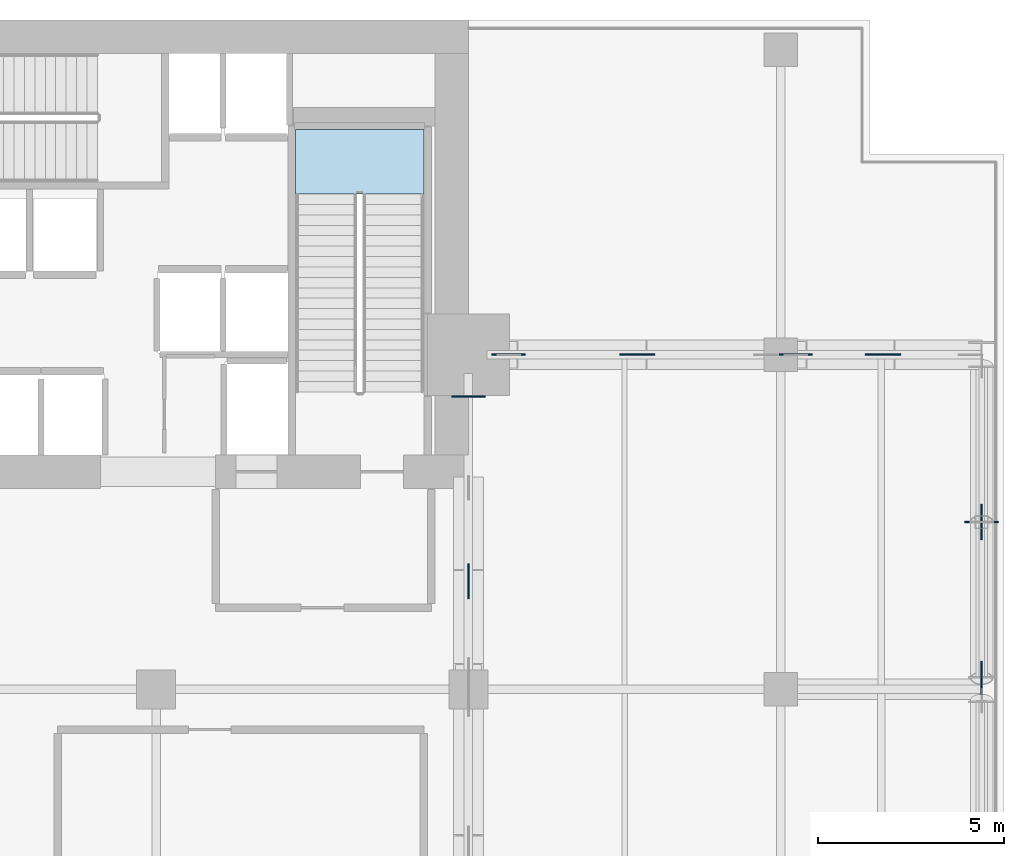
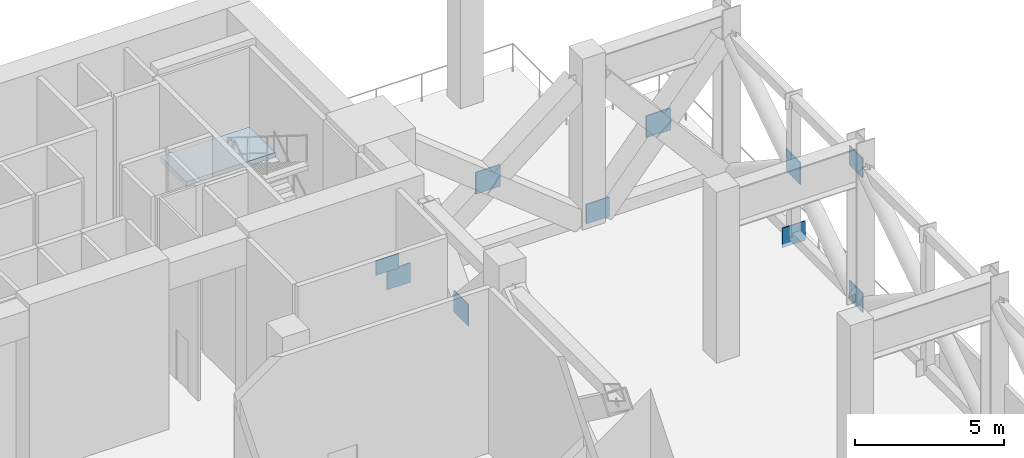
# One storey, part 7 of 16: 10 plates, 1 slab, 1 element without a shape of its own.
"""IFC4 building model written with IfcOpenShell, lengths in metres."""

from ifc_helpers import new_model, si_unit, direction, frame, origin, origin_2d, place, context, subcontext, project, spatial, polyline, rectangle, outline, extrude, material, layer, layer_set, type_object, element, aggregate, save


model = new_model("IFC4")

# Units and contexts
model_context = context("Model", 3, precision=1e-05, world=origin(), true_north=direction((0.0, 1.0)))
body_context = subcontext(model_context, "Body", "Model", "MODEL_VIEW")
ifc_project = project(units=[si_unit("LENGTHUNIT", "METRE"), si_unit("AREAUNIT", "SQUARE_METRE"), si_unit("VOLUMEUNIT", "CUBIC_METRE"), si_unit("PLANEANGLEUNIT", "RADIAN"), si_unit("MASSUNIT", "GRAM", prefix="KILO")], contexts=[model_context])

# Site, building, storey
site_placement = place(None, origin())
site = spatial("IfcSite", under=ifc_project, at=site_placement, CompositionType="ELEMENT")
building_placement = place(site_placement, origin())
building = spatial("IfcBuilding", under=site, at=building_placement, Name="Maruvema Waterfront Hotel and Observation Tower", CompositionType="ELEMENT")
storey_placement = place(building_placement, frame((0.0, 0.0, 115.5)))
storey = spatial("IfcBuildingStorey", under=building, at=storey_placement, Name="L28", CompositionType="ELEMENT", Elevation=115.5)

# Stair, slab
ifc_material_1 = material(Name="Concrete C50/60", Category="concrete")
stair_type = type_object("IfcStairType", Name="Dogleg Exit Stair 1650 mm (40R x 175.0 mm)", PredefinedType="HALF_TURN_STAIR", material=ifc_material_1)
stair_placement = place(storey_placement, origin())
stair = element("IfcStair", 1, at=stair_placement, inside=storey, type_object=stair_type, Name="L28 ST-03", PredefinedType="HALF_TURN_STAIR")
ifc_material_2 = material(Name="Concrete C50/60", Category="concrete")
ifc_layer_1 = layer(ifc_material_2, 0.219970703125, Name="Stair Concrete Landing Slab 220 mm")
ifc_layer_set_1 = layer_set([ifc_layer_1], Name="Concrete C50/60")
slab_type = type_object("IfcSlabType", Name="Stair Concrete Landing Slab 220 mm", PredefinedType="LANDING", material=ifc_layer_set_1)
slab_placement = place(storey_placement, frame((0.0, 0.0, 3.280029296875)))
slab = element("IfcSlab", 2, at=slab_placement, type_object=slab_type, Name="ST-03 landing 1", PredefinedType="LANDING", context=body_context, shape_type="SweptSolid", body=[
    extrude(outline(polyline([(49.199951171875, 49.320068359375), (49.199951171875, 51.050048828125), (45.75, 51.050048828125), (45.75, 49.320068359375), (49.199951171875, 49.320068359375)])), origin(), (0.0, 0.0, 1.0), 0.219970703125),
])
aggregate(stair, [slab])

# Plates
ifc_material_3 = material(Name="Steel ABNT NBR 7007 AR 415 (ASTM A572 Grade 50)", Category="steel")
ifc_layer_2 = layer(ifc_material_3, 0.0400390625, Name="Structural Truss Node Gusset Plate 40 mm")
ifc_layer_set_2 = layer_set([ifc_layer_2], Name="Steel ABNT NBR 7007 AR 415 (ASTM A572 Grade 50)")
plate_type = type_object("IfcPlateType", Name="Structural Truss Node Gusset Plate 40 mm", PredefinedType="USERDEFINED", material=ifc_layer_set_2)
plate_1_placement = place(storey_placement, frame((50.39990234375, 43.8798828125, 1.5), z_axis=(0.0, 0.0, 1.0), x_axis=(1.0, 0.0, 0.0)))
element("IfcPlate", 3, at=plate_1_placement, inside=storey, type_object=plate_type, Name="L28 MC-04 Moment Frame Continuity Gusset Plate", ObjectType="GUSSET_PLATE", PredefinedType="USERDEFINED", context=body_context, shape_type="SweptSolid", body=[
    extrude(rectangle(XDim=0.89990234375, YDim=0.0400390625, at=origin_2d()), origin(), (0.0, 0.0, 1.0), 0.60009765625),
])
plate_2_placement = place(storey_placement, frame((50.39990234375, 38.909912109375, 2.56494140625), z_axis=(0.0, 0.0, 1.0), x_axis=(0.0, -1.0, 0.0)))
element("IfcPlate", 4, at=plate_2_placement, inside=storey, type_object=plate_type, Name="L28 Outrigger Truss Diagonal E2 Crossing Gusset Node Plate", ObjectType="GUSSET_PLATE", PredefinedType="USERDEFINED", context=body_context, shape_type="SweptSolid", body=[
    extrude(rectangle(XDim=0.949951171875, YDim=0.0400390625, at=origin_2d()), origin(), (0.0, 0.0, 1.0), 0.89990234375),
])
plate_3_placement = place(storey_placement, frame((51.47998046875, 45.0, -0.14990234375), z_axis=(0.0, 0.0, 1.0), x_axis=(1.0, 0.0, 0.0)))
element("IfcPlate", 5, at=plate_3_placement, inside=storey, type_object=plate_type, Name="L28 Outrigger Wing Bottom Chord E1 Node Plate 1", ObjectType="GUSSET_PLATE", PredefinedType="USERDEFINED", context=body_context, shape_type="SweptSolid", body=[
    extrude(rectangle(XDim=0.89990234375, YDim=0.0400390625, at=origin_2d()), origin(), (0.0, 0.0, 1.0), 0.800048828125),
])
plate_4_placement = place(storey_placement, frame((54.93994140625, 45.0, 2.56494140625), z_axis=(0.0, 0.0, 1.0), x_axis=(-1.0, 0.0, 0.0)))
element("IfcPlate", 6, at=plate_4_placement, inside=storey, type_object=plate_type, Name="L28 Outrigger Wing Diagonal E1 Crossing Gusset Node Plate", ObjectType="GUSSET_PLATE", PredefinedType="USERDEFINED", context=body_context, shape_type="SweptSolid", body=[
    extrude(rectangle(XDim=0.949951171875, YDim=0.0400390625, at=origin_2d()), origin(), (0.0, 0.0, 1.0), 0.89990234375),
])
plate_5_placement = place(storey_placement, frame((59.199951171875, 45.0, -0.14990234375), z_axis=(0.0, 0.0, 1.0), x_axis=(1.0, 0.0, 0.0)))
element("IfcPlate", 7, at=plate_5_placement, inside=storey, type_object=plate_type, Name="L28 Outrigger Wing Bottom Chord E2 Node Plate 1", ObjectType="GUSSET_PLATE", PredefinedType="USERDEFINED", context=body_context, shape_type="SweptSolid", body=[
    extrude(rectangle(XDim=0.89990234375, YDim=0.0400390625, at=origin_2d()), origin(), (0.0, 0.0, 1.0), 0.800048828125),
])
plate_6_placement = place(storey_placement, frame((61.550048828125, 45.0, 2.56494140625), z_axis=(0.0, 0.0, 1.0), x_axis=(-1.0, 0.0, 0.0)))
element("IfcPlate", 8, at=plate_6_placement, inside=storey, type_object=plate_type, Name="L28 Outrigger Wing Diagonal E2 Crossing Gusset Node Plate", ObjectType="GUSSET_PLATE", PredefinedType="USERDEFINED", context=body_context, shape_type="SweptSolid", body=[
    extrude(rectangle(XDim=0.949951171875, YDim=0.0400390625, at=origin_2d()), origin(), (0.0, 0.0, 1.0), 0.89990234375),
])
for number, where, z_axis, x_axis, name in (
    (9, (64.199951171875, 36.300048828125, -0.14990234375), (0.0, 0.0, 1.0), (0.0, 1.0, 0.0), "L28 Perimeter Belt Truss Chord E8 Node Plate 1"),
    (10, (64.199951171875, 36.300048828125, 5.3798828125), (0.0, 0.0, 1.0), (0.0, 1.0, 0.0), "L28 Perimeter Belt Truss Top Chord E8 Node Plate 1"),
    (11, (64.199951171875, 40.5, -0.14990234375), (0.0, 0.0, 1.0), (1.0, 0.0, 0.0), "L28 Perimeter Belt Truss Post E8 Node Plate 1"),
):
    element("IfcPlate", number, at=place(storey_placement, frame(where, z_axis=z_axis, x_axis=x_axis)), inside=storey, type_object=plate_type, Name=name, ObjectType="GUSSET_PLATE", PredefinedType="USERDEFINED", context=body_context, shape_type="SweptSolid", body=[
        extrude(rectangle(XDim=0.89990234375, YDim=0.0400390625, at=origin_2d()), origin(), (0.0, 0.0, 1.0), 0.800048828125),
    ])
plate_7_placement = place(storey_placement, frame((64.199951171875, 40.5, 2.56494140625), z_axis=(0.0, 0.0, 1.0), x_axis=(0.0, -1.0, 0.0)))
element("IfcPlate", 12, at=plate_7_placement, inside=storey, type_object=plate_type, Name="L28 Perimeter Belt Truss Diagonal E8 Crossing Gusset Node Plate", ObjectType="GUSSET_PLATE", PredefinedType="USERDEFINED", context=body_context, shape_type="SweptSolid", body=[
    extrude(rectangle(XDim=0.949951171875, YDim=0.0400390625, at=origin_2d()), origin(), (0.0, 0.0, 1.0), 0.89990234375),
])

save(model, "model.ifc")
